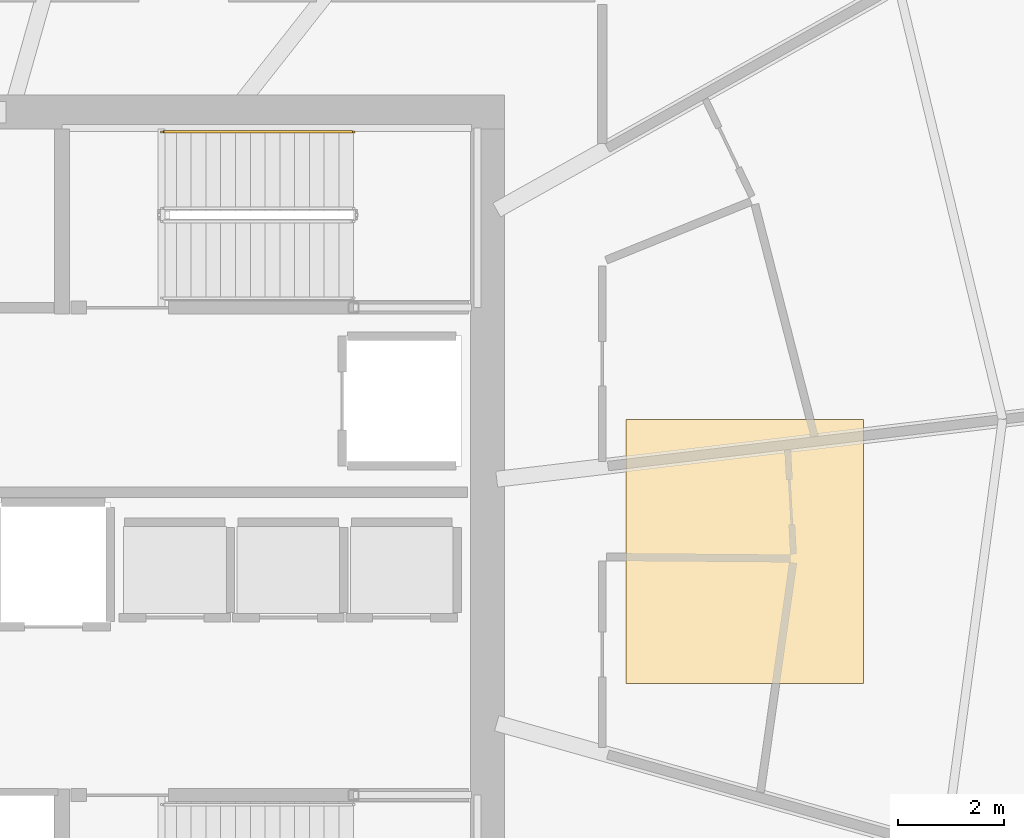
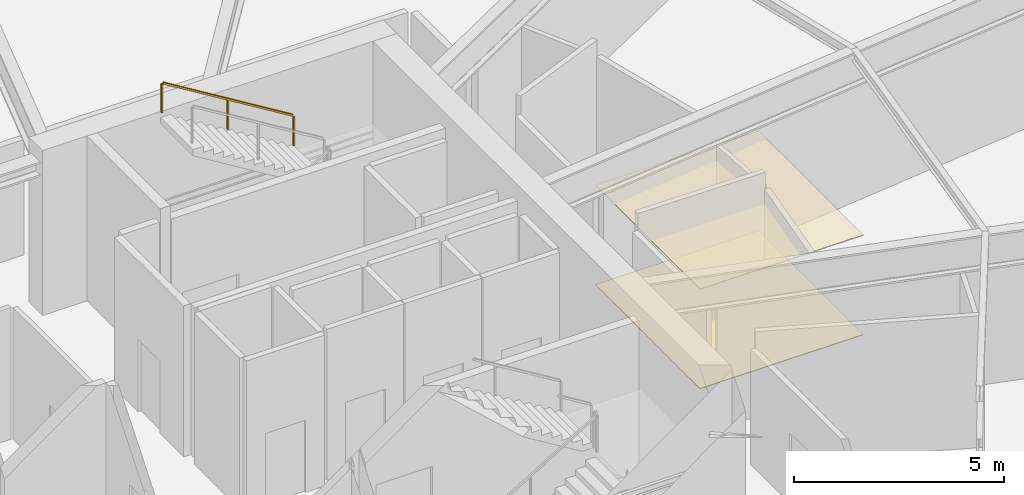
# One storey, part 21 of 22: 2 coverings, 1 railing.
"""IFC4 building model written with IfcOpenShell, lengths in metres."""

import ifcopenshell
import ifcopenshell.guid

model = None  # the IFC model being written
_history = None  # IfcOwnerHistory: only IFC2X3 demands one
_inside = {}  # id of a spatial element -> (the spatial element, [elements in it])
_under = {}  # id of a project, library or spatial element -> (it, [spatial elements below it])
_declared = {}  # id of a project -> (the project, [libraries it declares])
_typed = {}  # id of a type object -> (the type object, [elements of that type])
_made_of = {}  # id of a material, layer set ... -> (it, [elements and type objects made of it])


def new_model(schema):
    """Start an empty IFC model of exactly this schema.

    Asked for "IFC4X3", IfcOpenShell would pick the latest addendum, in which some entities
    have other attributes; the version numbers below select the first issue.
    IFC2X3 requires an IfcOwnerHistory on every rooted entity: one is made here for all.
    """
    global model, _history
    if schema == "IFC4X3":
        model = ifcopenshell.file(schema_version=(4, 3, 0, 0))
    else:
        model = ifcopenshell.file(schema=schema)
    _inside.clear()
    _under.clear()
    _declared.clear()
    _typed.clear()
    _made_of.clear()
    _history = None
    if model.schema == "IFC2X3":
        org = make("IfcOrganization", Name="unknown")
        user = make(
            "IfcPersonAndOrganization",
            ThePerson=make("IfcPerson", FamilyName="unknown"),
            TheOrganization=org,
        )
        app = make(
            "IfcApplication",
            ApplicationDeveloper=org,
            Version="unknown",
            ApplicationFullName="unknown",
            ApplicationIdentifier="unknown",
        )
        _history = make(
            "IfcOwnerHistory",
            OwningUser=user,
            OwningApplication=app,
            ChangeAction="ADDED",
            CreationDate=0,
        )
    return model


def make(cls, **values):
    """One entity of the class cls with the attributes given. An attribute that is None is left unset."""
    return model.create_entity(
        cls, **{name: value for name, value in values.items() if value is not None}
    )


def rooted(cls, **values):
    """An entity with a GlobalId (a new one), such as an element, a storey or a relation."""
    return make(cls, GlobalId=ifcopenshell.guid.new(), OwnerHistory=_history, **values)


def si_unit(unit_type, name, prefix=None):
    """IfcSIUnit, for example si_unit("LENGTHUNIT", "METRE", prefix="MILLI")."""
    return make("IfcSIUnit", UnitType=unit_type, Prefix=prefix, Name=name)


def assignment(units):
    """IfcUnitAssignment: the units of a project."""
    return None if units is None else make("IfcUnitAssignment", Units=units)


def point(xyz):
    """IfcCartesianPoint."""
    return None if xyz is None else make("IfcCartesianPoint", Coordinates=xyz)


def direction(xyz):
    """IfcDirection."""
    return None if xyz is None else make("IfcDirection", DirectionRatios=xyz)


def frame(location, z_axis=None, x_axis=None):
    """IfcAxis2Placement3D, a coordinate frame: its origin and axes. An axis left out is left unset."""
    return make(
        "IfcAxis2Placement3D",
        Location=point(location),
        Axis=direction(z_axis),
        RefDirection=direction(x_axis),
    )


def frame_2d(location, x_axis=None):
    """IfcAxis2Placement2D, a coordinate frame in the plane: its origin and x axis."""
    return make(
        "IfcAxis2Placement2D", Location=point(location), RefDirection=direction(x_axis)
    )


def origin():
    """The frame at (0, 0, 0) with its axes left unset."""
    return frame((0.0, 0.0, 0.0))


def origin_2d():
    """The frame at (0, 0) in the plane with its x axis left unset."""
    return frame_2d((0.0, 0.0))


def place(relative_to, where):
    """IfcLocalPlacement: puts the frame where relative to a parent placement (None: the world)."""
    return make(
        "IfcLocalPlacement", PlacementRelTo=relative_to, RelativePlacement=where
    )


def context(
    kind, dimensions, precision=None, world=None, true_north=None, identifier=None
):
    """IfcGeometricRepresentationContext, for example the 3D "Model" context."""
    return make(
        "IfcGeometricRepresentationContext",
        ContextIdentifier=identifier,
        ContextType=kind,
        CoordinateSpaceDimension=dimensions,
        Precision=precision,
        WorldCoordinateSystem=world,
        TrueNorth=true_north,
    )


def subcontext(parent, identifier, kind, view, scale=None):
    """IfcGeometricRepresentationSubContext, for example "Body" below "Model"."""
    return make(
        "IfcGeometricRepresentationSubContext",
        ContextIdentifier=identifier,
        ContextType=kind,
        ParentContext=parent,
        TargetScale=scale,
        TargetView=view,
    )


def project(units=None, contexts=None):
    """IfcProject with its units and contexts."""
    return rooted(
        "IfcProject",
        Name="project",
        RepresentationContexts=contexts,
        UnitsInContext=assignment(units),
    )


def spatial(cls, under=None, at=None, **own):
    """A site, building, storey or space (cls), placed at a placement, below another one or the project."""
    s = rooted(cls, ObjectPlacement=at, **own)
    if under is not None:
        _under.setdefault(under.id(), (under, []))[1].append(s)
    return s


def polyline(points):
    """IfcPolyline through the points."""
    return make("IfcPolyline", Points=[point(p) for p in points])


def profile(cls, at=None, kind="AREA", **sizes):
    """A parametric profile (cls). Its sizes go by their IFC names, for example OverallWidth=200.0."""
    return make(cls, ProfileType=kind, Position=at, **sizes)


def rectangle(**sizes):
    """IfcRectangleProfileDef."""
    return profile("IfcRectangleProfileDef", **sizes)


def outline(outer, holes=None, kind="AREA"):
    """IfcArbitraryClosedProfileDef: a profile drawn as a closed curve; with holes, ...WithVoids."""
    if holes is None:
        return make("IfcArbitraryClosedProfileDef", ProfileType=kind, OuterCurve=outer)
    return make(
        "IfcArbitraryProfileDefWithVoids",
        ProfileType=kind,
        OuterCurve=outer,
        InnerCurves=holes,
    )


def extrude(swept, where, along, depth):
    """IfcExtrudedAreaSolid: the profile swept, set in the frame where, extruded along a direction by depth."""
    return make(
        "IfcExtrudedAreaSolid",
        SweptArea=swept,
        Position=where,
        ExtrudedDirection=direction(along),
        Depth=depth,
    )


def shape(context_of_items, identifier, shape_type, items):
    """IfcShapeRepresentation: the items that make up one representation, for example the "Body"."""
    return make(
        "IfcShapeRepresentation",
        ContextOfItems=context_of_items,
        RepresentationIdentifier=identifier,
        RepresentationType=shape_type,
        Items=items,
    )


def material(Name=None, Category=None):
    """IfcMaterial."""
    return make("IfcMaterial", Name=Name, Category=Category)


def layer(
    of_material, thickness, ventilated=None, Name=None, Category=None, Priority=None
):
    """IfcMaterialLayer: one layer of a wall or slab, of a material (None: an air gap)."""
    return make(
        "IfcMaterialLayer",
        Material=of_material,
        LayerThickness=thickness,
        IsVentilated=ventilated,
        Name=Name,
        Category=Category,
        Priority=Priority,
    )


def layer_set(layers, Name=None):
    """IfcMaterialLayerSet."""
    return make("IfcMaterialLayerSet", MaterialLayers=layers, LayerSetName=Name)


def made_of(thing, what):
    """Note that an element or type object is made of a material, layer set ...; save() writes the relation."""
    if what is not None:
        _made_of.setdefault(what.id(), (what, []))[1].append(thing)
    return thing


def type_object(cls, material=None, **own):
    """A type object (cls), such as IfcWallType, which elements share."""
    return made_of(rooted(cls, **own), material)


def element(
    cls,
    number,
    at=None,
    inside=None,
    cuts=None,
    type_object=None,
    material=None,
    context=None,
    identifier="Body",
    shape_type=None,
    held_by="IfcProductDefinitionShape",
    body=None,
    shapes=None,
    **own,
):
    """One element of the class cls, such as IfcWall. Its Tag is "e" and its number.

    at: its placement. inside: the storey or other place that contains it. cuts: it is an
    opening in that element (IfcRelVoidsElement). A single representation is given by context,
    identifier, shape_type and body (its items); several are given by shapes. held_by: the class
    of the entity that holds the representations. save() writes the other relations.
    """
    e = rooted(cls, Tag="e%d" % number, ObjectPlacement=at, **own)
    if body is not None:
        shapes = [shape(context, identifier, shape_type, body)]
    if shapes is not None:
        e.Representation = make(held_by, Representations=shapes)
    if inside is not None:
        _inside.setdefault(inside.id(), (inside, []))[1].append(e)
    if cuts is not None:
        rooted(
            "IfcRelVoidsElement", RelatingBuildingElement=cuts, RelatedOpeningElement=e
        )
    if type_object is not None:
        _typed.setdefault(type_object.id(), (type_object, []))[1].append(e)
    return made_of(e, material)


def aggregate(whole, parts):
    """IfcRelAggregates: a whole, such as a stair, and the parts it consists of."""
    return rooted("IfcRelAggregates", RelatingObject=whole, RelatedObjects=parts)


def save(model, path):
    """Write the relations noted so far, then the file.

    IfcRelAggregates (storeys below a building ...), IfcRelContainedInSpatialStructure (elements
    in a storey), IfcRelDefinesByType, IfcRelAssociatesMaterial and IfcRelDeclares: one each for
    every whole, place, type object, material and project.
    """
    for whole, parts in _under.values():
        aggregate(whole, parts)
    for where, things in _inside.values():
        rooted(
            "IfcRelContainedInSpatialStructure",
            RelatedElements=things,
            RelatingStructure=where,
        )
    for kind, things in _typed.values():
        rooted("IfcRelDefinesByType", RelatedObjects=things, RelatingType=kind)
    for what, things in _made_of.values():
        rooted("IfcRelAssociatesMaterial", RelatedObjects=things, RelatingMaterial=what)
    for by, libraries in _declared.values():
        rooted("IfcRelDeclares", RelatingContext=by, RelatedDefinitions=libraries)
    model.write(path)


model = new_model("IFC4")

# Units and contexts
model_context = context("Model", 3, precision=1e-05, world=origin(), true_north=direction((0.0, 1.0)))
body_context = subcontext(model_context, "Body", "Model", "MODEL_VIEW")
ifc_project = project(units=[si_unit("LENGTHUNIT", "METRE"), si_unit("AREAUNIT", "SQUARE_METRE"), si_unit("VOLUMEUNIT", "CUBIC_METRE"), si_unit("PLANEANGLEUNIT", "RADIAN"), si_unit("MASSUNIT", "GRAM", prefix="KILO")], contexts=[model_context])

# Site, building, storey
site_placement = place(None, origin())
site = spatial("IfcSite", under=ifc_project, at=site_placement, CompositionType="ELEMENT")
building_placement = place(site_placement, origin())
building = spatial("IfcBuilding", under=site, at=building_placement, Name="Kazma Halo Residences", CompositionType="ELEMENT")
storey_placement = place(building_placement, frame((0.0, 0.0, 231.89990234375)))
storey = spatial("IfcBuildingStorey", under=building, at=storey_placement, Name="L58", CompositionType="ELEMENT", Elevation=231.89990234375)

# Coverings
ifc_material_1 = material(Name="Perforated Gypsum Acoustic Ceiling")
ifc_layer_1 = layer(ifc_material_1, 0.02490234375)
ifc_layer_set_1 = layer_set([ifc_layer_1], Name="Perforated Gypsum Acoustic Ceiling")
covering_type_1 = type_object("IfcCoveringType", Name="COV-CEIL-ACOUSTIC", PredefinedType="CEILING", material=ifc_layer_set_1)
covering_1_placement = place(storey_placement, frame((0.0, 0.0, 2.89501953125)))
element("IfcCovering", 1, at=covering_1_placement, inside=storey, type_object=covering_type_1, Name="L58 amenity acoustic ceiling", PredefinedType="CEILING", context=body_context, shape_type="SweptSolid", body=[
    extrude(outline(polyline([(62.0, 39.5), (66.5, 39.5), (66.5, 44.5), (62.0, 44.5), (62.0, 39.5)])), origin(), (0.0, 0.0, 1.0), 0.025146484375),
])
ifc_material_2 = material(Name="Polished Limestone Terrazzo Flooring", Category="masonry")
ifc_layer_2 = layer(ifc_material_2, 0.02001953125)
ifc_layer_set_2 = layer_set([ifc_layer_2], Name="Polished Limestone Terrazzo Flooring")
covering_type_2 = type_object("IfcCoveringType", Name="COV-FLR-TERRAZZO", PredefinedType="FLOORING", material=ifc_layer_set_2)
covering_2_placement = place(storey_placement, origin())
element("IfcCovering", 2, at=covering_2_placement, inside=storey, type_object=covering_type_2, Name="L58 amenity terrazzo floor finish", PredefinedType="FLOORING", context=body_context, shape_type="SweptSolid", body=[
    extrude(outline(polyline([(62.0, 39.5), (66.5, 39.5), (66.5, 44.5), (62.0, 44.5), (62.0, 39.5)])), origin(), (0.0, 0.0, 1.0), 0.02001953125),
])

# Railing
ifc_material_3 = material(Name="Brushed Stainless Steel", Category="steel")
railing_type = type_object("IfcRailingType", Name="RLG-STAIR-HND-900", PredefinedType="HANDRAIL", material=ifc_material_3)
railing_placement = place(storey_placement, frame((56.840087890625, 49.949951171875, 2.571533203125)))
element("IfcRailing", 3, at=railing_placement, inside=storey, type_object=railing_type, Name="L58 ST-02 stair handrail 2", PredefinedType="HANDRAIL", context=body_context, shape_type="SweptSolid", body=[
    extrude(rectangle(XDim=0.050048828125, YDim=0.050048828125, at=origin_2d()), frame((-0.036376953125, 0.0, 0.89697265625), z_axis=(-0.852865859571, 0.0, 0.52213008492), x_axis=(0.0, -1.0, 0.0)), (0.0, 0.0, 1.0), 4.18310546875),
    extrude(rectangle(XDim=0.0400390625, YDim=0.0400390625, at=origin_2d()), origin(), (0.0, 0.0, 1.0), 0.837890625),
    extrude(rectangle(XDim=0.0400390625, YDim=0.0400390625, at=origin_2d()), frame((-1.820068359375, 0.0, 1.1142578125)), (0.0, 0.0, 1.0), 0.837890625),
    extrude(rectangle(XDim=0.0400390625, YDim=0.0400390625, at=origin_2d()), frame((-3.64013671875, 0.0, 2.228515625)), (0.0, 0.0, 1.0), 0.837890625),
])

save(model, "model.ifc")
